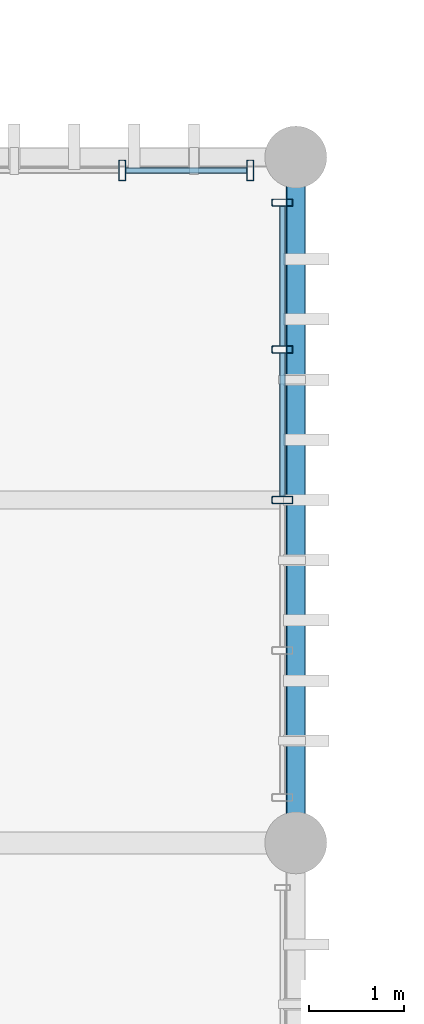
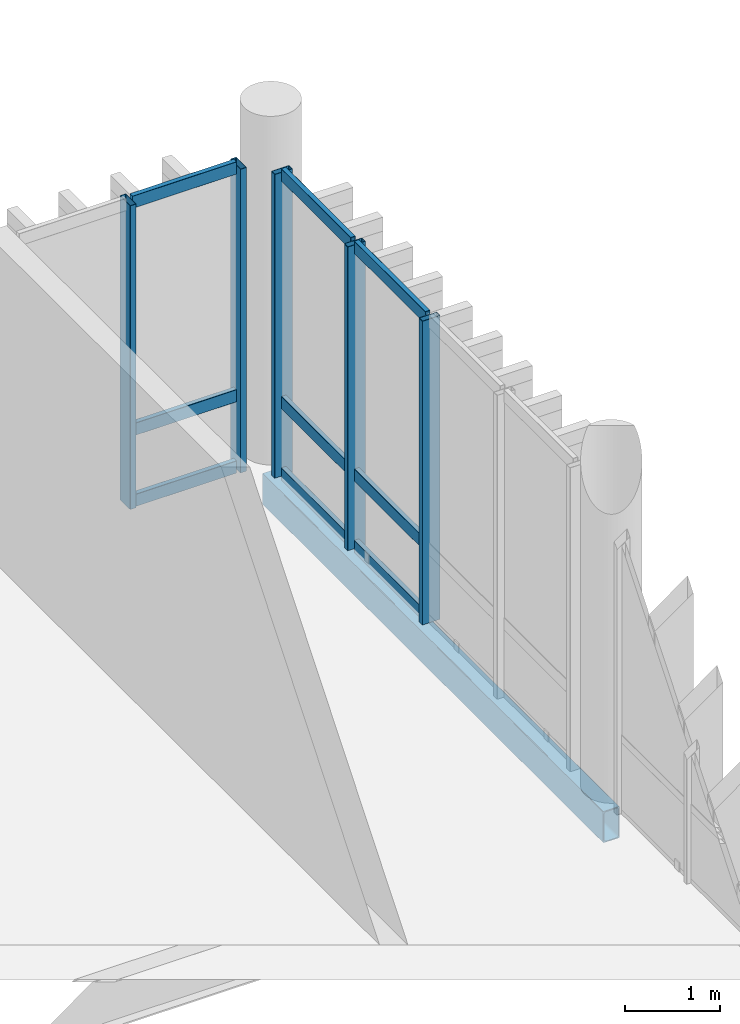
# One storey, part 34 of 66: 14 members, 1 beam, 2 elements without a shape of their own.
"""IFC4 building model written with IfcOpenShell, lengths in metres."""

from ifc_helpers import new_model, si_unit, direction, frame, origin_with_axes, origin_2d_with_axis, place, context, subcontext, project, spatial, hollow_rectangle, extrude, material, material_profile, profile_set, type_object, element, aggregate, save


model = new_model("IFC4")

# Units and contexts
model_context = context("Model", 3, precision=1e-05, world=origin_with_axes(), true_north=direction((0.0, 1.0)))
body_context = subcontext(model_context, "Body", "Model", "MODEL_VIEW")
ifc_project = project(units=[si_unit("LENGTHUNIT", "METRE"), si_unit("AREAUNIT", "SQUARE_METRE"), si_unit("VOLUMEUNIT", "CUBIC_METRE"), si_unit("PLANEANGLEUNIT", "RADIAN"), si_unit("MASSUNIT", "GRAM", prefix="KILO"), si_unit("THERMODYNAMICTEMPERATUREUNIT", "KELVIN")], contexts=[model_context])

# Site, building, storey
site_placement = place(None, origin_with_axes())
site = spatial("IfcSite", under=ifc_project, at=site_placement, CompositionType="ELEMENT")
building_placement = place(site_placement, origin_with_axes())
building = spatial("IfcBuilding", under=site, at=building_placement, Name="Montbau Bow Law Courts", CompositionType="ELEMENT")
storey_placement = place(building_placement, frame((0.0, 0.0, 34.5), z_axis=(0.0, 0.0, 1.0), x_axis=(1.0, 0.0, 0.0)))
storey = spatial("IfcBuildingStorey", under=building, at=storey_placement, Name="L07", CompositionType="ELEMENT", Elevation=34.5)

# Beam
ifc_material_1 = material(Name="Steel CSA G40.21 Grade 350WT (350 MPa)", Category="steel")
ifc_material_profile_1 = material_profile(ifc_material_1, hollow_rectangle(XDim=0.203, YDim=0.406, WallThickness=0.0127, InnerFilletRadius=0.0254, OuterFilletRadius=0.0127, at=origin_2d_with_axis()), Name="HSS406X203X13", Category="Main", Priority=0)
ifc_profile_set_1 = profile_set([ifc_material_profile_1], Name="Steel CSA G40.21 Grade 350WT (350 MPa)")
beam_type = type_object("IfcBeamType", Name="B-SPN-01", PredefinedType="SPANDREL", material=ifc_profile_set_1)
beam_placement = place(None, frame((105.0, 54.6, 33.997), z_axis=(0.0, 1.0, 0.0), x_axis=(-1.0, 0.0, 0.0)))
element("IfcBeam", 1, at=beam_placement, inside=storey, type_object=beam_type, Name="SPN-L07-S1060:bm2_1063", PredefinedType="SPANDREL", context=body_context, shape_type="SweptSolid", body=[
    extrude(hollow_rectangle(XDim=0.203, YDim=0.406, WallThickness=0.0127, InnerFilletRadius=0.0254, OuterFilletRadius=0.0127, at=origin_2d_with_axis()), origin_with_axes(), (0.0, 0.0, 1.0), 7.2),
])

# Curtain wall, members
ifc_material_2 = material(Name="Thermally Broken Extruded Aluminium AA 6063-T6", Category="aluminium")
curtain_wall_type = type_object("IfcCurtainWallType", Name="CW-CRM-02", PredefinedType="NOTDEFINED", material=ifc_material_2)
curtain_wall_1_placement = place(None, frame((97.64, 61.66, 34.5), z_axis=(0.0, 0.0, 1.0), x_axis=(1.0, 0.0, 0.0)))
curtain_wall_1 = element("IfcCurtainWall", 2, at=curtain_wall_1_placement, inside=storey, type_object=curtain_wall_type, Name="CW-L07-252:cw_0252", PredefinedType="NOTDEFINED")
ifc_material_profile_2 = material_profile(ifc_material_2, hollow_rectangle(XDim=0.075, YDim=0.22, WallThickness=0.005, InnerFilletRadius=0.01, OuterFilletRadius=0.005, at=origin_2d_with_axis()), Name="CWM-220X75", Category="Main", Priority=0)
ifc_profile_set_2 = profile_set([ifc_material_profile_2], Name="Thermally Broken Extruded Aluminium AA 6063-T6")
member_type_1 = type_object("IfcMemberType", Name="M-MUL-01", PredefinedType="MULLION", material=ifc_profile_set_2)
member_1_placement = place(None, frame((103.176, 61.66, 34.5), z_axis=(0.0, 0.0, 1.0), x_axis=(1.0, 0.0, 0.0)))
member_1 = element("IfcMember", 3, at=member_1_placement, type_object=member_type_1, Name="CW-L07-252-M05:cw_0252_M05", PredefinedType="MULLION", context=body_context, shape_type="SweptSolid", body=[
    extrude(hollow_rectangle(XDim=0.075, YDim=0.22, WallThickness=0.005, InnerFilletRadius=0.01, OuterFilletRadius=0.005, at=origin_2d_with_axis()), origin_with_axes(), (0.0, 0.0, 1.0), 3.92),
])
member_2_placement = place(None, frame((104.523, 61.66, 34.5), z_axis=(0.0, 0.0, 1.0), x_axis=(1.0, 0.0, 0.0)))
member_2 = element("IfcMember", 4, at=member_2_placement, type_object=member_type_1, Name="CW-L07-252-M06:cw_0252_M06", PredefinedType="MULLION", context=body_context, shape_type="SweptSolid", body=[
    extrude(hollow_rectangle(XDim=0.075, YDim=0.22, WallThickness=0.005, InnerFilletRadius=0.01, OuterFilletRadius=0.005, at=origin_2d_with_axis()), origin_with_axes(), (0.0, 0.0, 1.0), 3.92),
])

curtain_wall_2_placement = place(None, frame((104.86, 55.04, 34.5), z_axis=(0.0, 0.0, 1.0), x_axis=(1.0, 0.0, 0.0)))
curtain_wall_2 = element("IfcCurtainWall", 5, at=curtain_wall_2_placement, inside=storey, type_object=curtain_wall_type, Name="CW-L07-258:cw_0258", PredefinedType="NOTDEFINED")
member_3_placement = place(None, frame((104.86, 58.2, 34.5), z_axis=(0.0, 0.0, 1.0), x_axis=(0.0, 1.0, 0.0)))
member_3 = element("IfcMember", 6, at=member_3_placement, type_object=member_type_1, Name="CW-L07-258-M03:cw_0258_M03", PredefinedType="MULLION", context=body_context, shape_type="SweptSolid", body=[
    extrude(hollow_rectangle(XDim=0.075, YDim=0.22, WallThickness=0.005, InnerFilletRadius=0.01, OuterFilletRadius=0.005, at=origin_2d_with_axis()), origin_with_axes(), (0.0, 0.0, 1.0), 3.92),
])
member_4_placement = place(None, frame((104.86, 59.78, 34.5), z_axis=(0.0, 0.0, 1.0), x_axis=(0.0, 1.0, 0.0)))
member_4 = element("IfcMember", 7, at=member_4_placement, type_object=member_type_1, Name="CW-L07-258-M04:cw_0258_M04", PredefinedType="MULLION", context=body_context, shape_type="SweptSolid", body=[
    extrude(hollow_rectangle(XDim=0.075, YDim=0.22, WallThickness=0.005, InnerFilletRadius=0.01, OuterFilletRadius=0.005, at=origin_2d_with_axis()), origin_with_axes(), (0.0, 0.0, 1.0), 3.92),
])
member_5_placement = place(None, frame((104.86, 61.323, 34.5), z_axis=(0.0, 0.0, 1.0), x_axis=(0.0, 1.0, 0.0)))
member_5 = element("IfcMember", 8, at=member_5_placement, type_object=member_type_1, Name="CW-L07-258-M05:cw_0258_M05", PredefinedType="MULLION", context=body_context, shape_type="SweptSolid", body=[
    extrude(hollow_rectangle(XDim=0.075, YDim=0.22, WallThickness=0.005, InnerFilletRadius=0.01, OuterFilletRadius=0.005, at=origin_2d_with_axis()), origin_with_axes(), (0.0, 0.0, 1.0), 3.92),
])

# Member
ifc_material_profile_3 = material_profile(ifc_material_2, hollow_rectangle(XDim=0.06, YDim=0.16, WallThickness=0.004, InnerFilletRadius=0.008, OuterFilletRadius=0.004, at=origin_2d_with_axis()), Name="CWT-160X60", Category="Main", Priority=0)
ifc_profile_set_3 = profile_set([ifc_material_profile_3], Name="Thermally Broken Extruded Aluminium AA 6063-T6")
member_type_2 = type_object("IfcMemberType", Name="M-TRN-01", PredefinedType="USERDEFINED", material=ifc_profile_set_3)
member_6_placement = place(None, frame((103.215, 61.66, 34.53), z_axis=(1.0, 0.0, 0.0), x_axis=(0.0, 1.0, 0.0)))
member_6 = element("IfcMember", 9, at=member_6_placement, type_object=member_type_2, Name="CW-L07-252-T05-1:cw_0252_T05_1", ObjectType="TRANSOM", PredefinedType="USERDEFINED", context=body_context, shape_type="SweptSolid", body=[
    extrude(hollow_rectangle(XDim=0.06, YDim=0.16, WallThickness=0.004, InnerFilletRadius=0.008, OuterFilletRadius=0.004, at=origin_2d_with_axis()), origin_with_axes(), (0.0, 0.0, 1.0), 1.269),
])

member_7_placement = place(None, frame((103.215, 61.66, 35.45), z_axis=(1.0, 0.0, 0.0), x_axis=(0.0, 1.0, 0.0)))
member_7 = element("IfcMember", 10, at=member_7_placement, type_object=member_type_2, Name="CW-L07-252-T05-2:cw_0252_T05_2", ObjectType="TRANSOM", PredefinedType="USERDEFINED", context=body_context, shape_type="SweptSolid", body=[
    extrude(hollow_rectangle(XDim=0.06, YDim=0.16, WallThickness=0.004, InnerFilletRadius=0.008, OuterFilletRadius=0.004, at=origin_2d_with_axis()), origin_with_axes(), (0.0, 0.0, 1.0), 1.269),
])

member_8_placement = place(None, frame((103.215, 61.66, 38.39), z_axis=(1.0, 0.0, 0.0), x_axis=(0.0, 1.0, 0.0)))
member_8 = element("IfcMember", 11, at=member_8_placement, type_object=member_type_2, Name="CW-L07-252-T05-3:cw_0252_T05_3", ObjectType="TRANSOM", PredefinedType="USERDEFINED", context=body_context, shape_type="SweptSolid", body=[
    extrude(hollow_rectangle(XDim=0.06, YDim=0.16, WallThickness=0.004, InnerFilletRadius=0.008, OuterFilletRadius=0.004, at=origin_2d_with_axis()), origin_with_axes(), (0.0, 0.0, 1.0), 1.269),
])

aggregate(curtain_wall_1, [member_1, member_2, member_6, member_7, member_8])

member_9_placement = place(None, frame((104.86, 58.24, 34.53), z_axis=(0.0, 1.0, 0.0), x_axis=(-1.0, 0.0, 0.0)))
member_9 = element("IfcMember", 12, at=member_9_placement, type_object=member_type_2, Name="CW-L07-258-T03-1:cw_0258_T03_1", ObjectType="TRANSOM", PredefinedType="USERDEFINED", context=body_context, shape_type="SweptSolid", body=[
    extrude(hollow_rectangle(XDim=0.06, YDim=0.16, WallThickness=0.004, InnerFilletRadius=0.008, OuterFilletRadius=0.004, at=origin_2d_with_axis()), origin_with_axes(), (0.0, 0.0, 1.0), 1.501),
])

member_10_placement = place(None, frame((104.86, 58.24, 35.45), z_axis=(0.0, 1.0, 0.0), x_axis=(-1.0, 0.0, 0.0)))
member_10 = element("IfcMember", 13, at=member_10_placement, type_object=member_type_2, Name="CW-L07-258-T03-2:cw_0258_T03_2", ObjectType="TRANSOM", PredefinedType="USERDEFINED", context=body_context, shape_type="SweptSolid", body=[
    extrude(hollow_rectangle(XDim=0.06, YDim=0.16, WallThickness=0.004, InnerFilletRadius=0.008, OuterFilletRadius=0.004, at=origin_2d_with_axis()), origin_with_axes(), (0.0, 0.0, 1.0), 1.501),
])

member_11_placement = place(None, frame((104.86, 58.24, 38.39), z_axis=(0.0, 1.0, 0.0), x_axis=(-1.0, 0.0, 0.0)))
member_11 = element("IfcMember", 14, at=member_11_placement, type_object=member_type_2, Name="CW-L07-258-T03-3:cw_0258_T03_3", ObjectType="TRANSOM", PredefinedType="USERDEFINED", context=body_context, shape_type="SweptSolid", body=[
    extrude(hollow_rectangle(XDim=0.06, YDim=0.16, WallThickness=0.004, InnerFilletRadius=0.008, OuterFilletRadius=0.004, at=origin_2d_with_axis()), origin_with_axes(), (0.0, 0.0, 1.0), 1.501),
])

member_12_placement = place(None, frame((104.86, 59.819, 34.53), z_axis=(0.0, 1.0, 0.0), x_axis=(-1.0, 0.0, 0.0)))
member_12 = element("IfcMember", 15, at=member_12_placement, type_object=member_type_2, Name="CW-L07-258-T04-1:cw_0258_T04_1", ObjectType="TRANSOM", PredefinedType="USERDEFINED", context=body_context, shape_type="SweptSolid", body=[
    extrude(hollow_rectangle(XDim=0.06, YDim=0.16, WallThickness=0.004, InnerFilletRadius=0.008, OuterFilletRadius=0.004, at=origin_2d_with_axis()), origin_with_axes(), (0.0, 0.0, 1.0), 1.465),
])

member_13_placement = place(None, frame((104.86, 59.819, 35.45), z_axis=(0.0, 1.0, 0.0), x_axis=(-1.0, 0.0, 0.0)))
member_13 = element("IfcMember", 16, at=member_13_placement, type_object=member_type_2, Name="CW-L07-258-T04-2:cw_0258_T04_2", ObjectType="TRANSOM", PredefinedType="USERDEFINED", context=body_context, shape_type="SweptSolid", body=[
    extrude(hollow_rectangle(XDim=0.06, YDim=0.16, WallThickness=0.004, InnerFilletRadius=0.008, OuterFilletRadius=0.004, at=origin_2d_with_axis()), origin_with_axes(), (0.0, 0.0, 1.0), 1.465),
])

member_14_placement = place(None, frame((104.86, 59.819, 38.39), z_axis=(0.0, 1.0, 0.0), x_axis=(-1.0, 0.0, 0.0)))
member_14 = element("IfcMember", 17, at=member_14_placement, type_object=member_type_2, Name="CW-L07-258-T04-3:cw_0258_T04_3", ObjectType="TRANSOM", PredefinedType="USERDEFINED", context=body_context, shape_type="SweptSolid", body=[
    extrude(hollow_rectangle(XDim=0.06, YDim=0.16, WallThickness=0.004, InnerFilletRadius=0.008, OuterFilletRadius=0.004, at=origin_2d_with_axis()), origin_with_axes(), (0.0, 0.0, 1.0), 1.465),
])

aggregate(curtain_wall_2, [member_3, member_4, member_5, member_9, member_10, member_11, member_12, member_13, member_14])

save(model, "model.ifc")
